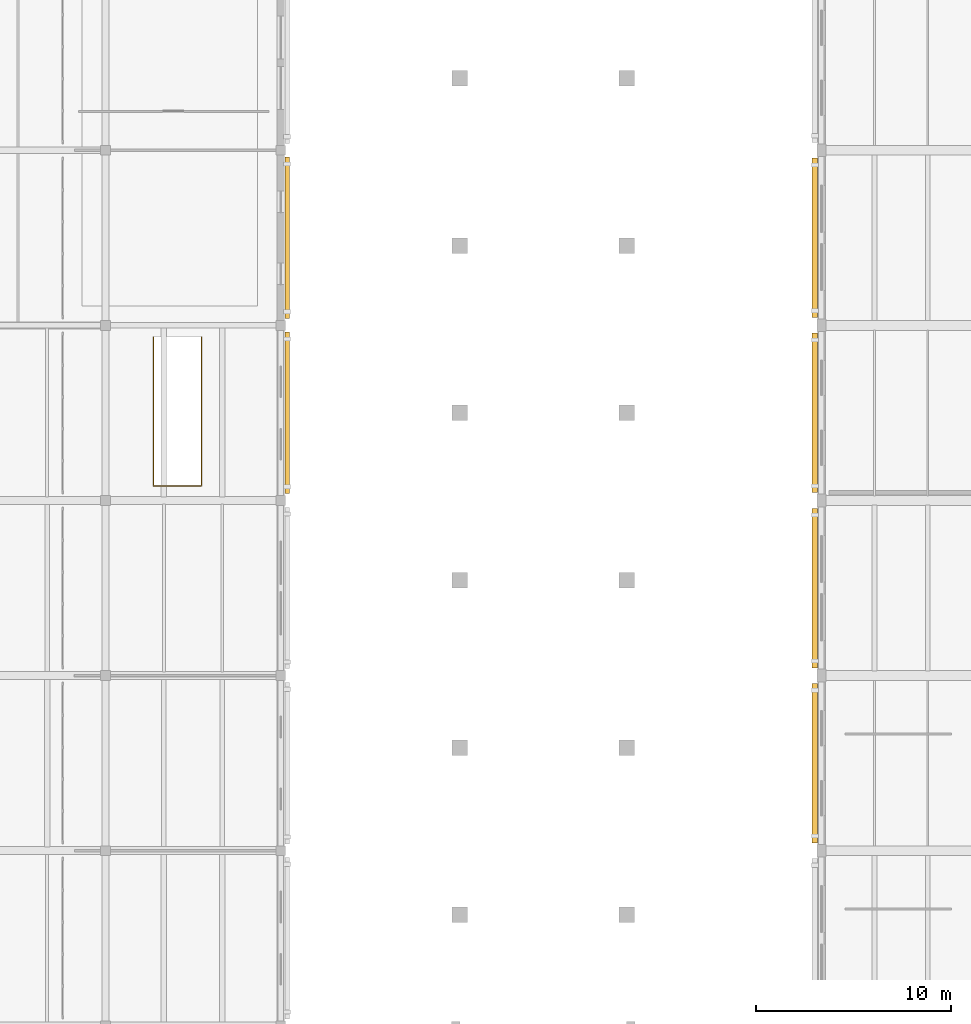
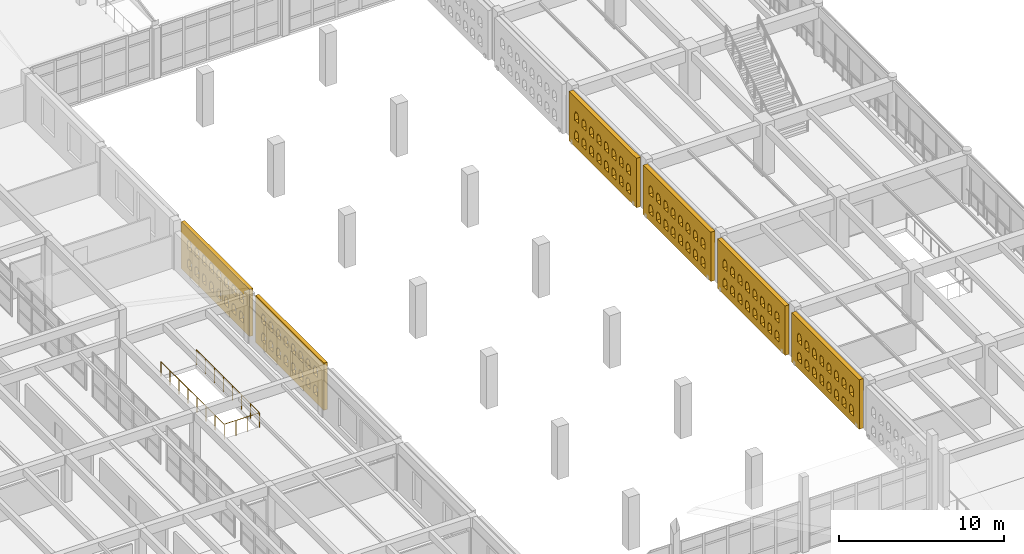
# One storey, part 144 of 156: 6 coverings, 1 railing.
"""IFC4 building model written with IfcOpenShell, lengths in metres."""

from ifc_helpers import new_model, si_unit, direction, frame, origin, origin_2d, place, context, subcontext, project, spatial, polyline, circle, outline, extrude, material, layer, layer_set, type_object, element, save


model = new_model("IFC4")

# Units and contexts
model_context = context("Model", 3, precision=1e-05, world=origin(), true_north=direction((0.0, 1.0)))
body_context = subcontext(model_context, "Body", "Model", "MODEL_VIEW")
ifc_project = project(units=[si_unit("LENGTHUNIT", "METRE"), si_unit("AREAUNIT", "SQUARE_METRE"), si_unit("VOLUMEUNIT", "CUBIC_METRE"), si_unit("PLANEANGLEUNIT", "RADIAN"), si_unit("MASSUNIT", "GRAM", prefix="KILO")], contexts=[model_context])

# Site, building, storey
site_placement = place(None, origin())
site = spatial("IfcSite", under=ifc_project, at=site_placement, CompositionType="ELEMENT")
building_placement = place(site_placement, origin())
building = spatial("IfcBuilding", under=site, at=building_placement, Name="Ornek Quay Market", CompositionType="ELEMENT")
storey_placement = place(building_placement, frame((0.0, 0.0, 4.5)))
storey = spatial("IfcBuildingStorey", under=building, at=storey_placement, Name="L01", CompositionType="ELEMENT", Elevation=4.5)

# Coverings
ifc_material_1 = material(Name="Frost-resistant facing clay brick M200 F100", Category="masonry")
ifc_layer_1 = layer(ifc_material_1, 0.25, Name="Frost-resistant facing clay brick M200 F100", Category="masonry")
ifc_layer_set_1 = layer_set([ifc_layer_1], Name="Frost-resistant facing clay brick M200 F100")
covering_type_1 = type_object("IfcCoveringType", Name="COV-BRICK-LATTICE-250", PredefinedType="CLADDING", material=ifc_layer_set_1)
covering_1_placement = place(storey_placement, frame((27.340087890625, 56.35009765625, 0.0), z_axis=(0.0, 0.0, 1.0), x_axis=(0.0, 1.0, 0.0)))
element("IfcCovering", 1, at=covering_1_placement, inside=storey, type_object=covering_type_1, Name="Arched brick lattice screen BLS-024", PredefinedType="CLADDING", context=body_context, shape_type="SweptSolid", body=[
    extrude(outline(polyline([(0.0, 0.0), (8.2998046875, 0.0), (8.2998046875, 3.47998046875), (0.0, 3.47998046875), (0.0, 0.0)]), holes=[polyline([(0.760009765625, 0.550048828125), (1.239990234375, 0.550048828125), (1.239990234375, 1.050048828125), (1.1201171875, 1.2578125), (0.8798828125, 1.2578125), (0.760009765625, 1.050048828125), (0.760009765625, 0.550048828125)]), polyline([(0.760009765625, 1.949951171875), (1.239990234375, 1.949951171875), (1.239990234375, 2.449951171875), (1.1201171875, 2.65771484375), (0.8798828125, 2.65771484375), (0.760009765625, 2.449951171875), (0.760009765625, 1.949951171875)]), polyline([(1.659912109375, 0.550048828125), (2.139892578125, 0.550048828125), (2.139892578125, 1.050048828125), (2.02001953125, 1.2578125), (1.780029296875, 1.2578125), (1.659912109375, 1.050048828125), (1.659912109375, 0.550048828125)]), polyline([(1.659912109375, 1.949951171875), (2.139892578125, 1.949951171875), (2.139892578125, 2.449951171875), (2.02001953125, 2.65771484375), (1.780029296875, 2.65771484375), (1.659912109375, 2.449951171875), (1.659912109375, 1.949951171875)]), polyline([(2.56005859375, 0.550048828125), (3.0400390625, 0.550048828125), (3.0400390625, 1.050048828125), (2.919921875, 1.2578125), (2.679931640625, 1.2578125), (2.56005859375, 1.050048828125), (2.56005859375, 0.550048828125)]), polyline([(2.56005859375, 1.949951171875), (3.0400390625, 1.949951171875), (3.0400390625, 2.449951171875), (2.919921875, 2.65771484375), (2.679931640625, 2.65771484375), (2.56005859375, 2.449951171875), (2.56005859375, 1.949951171875)]), polyline([(3.4599609375, 0.550048828125), (3.93994140625, 0.550048828125), (3.93994140625, 1.050048828125), (3.820068359375, 1.2578125), (3.580078125, 1.2578125), (3.4599609375, 1.050048828125), (3.4599609375, 0.550048828125)]), polyline([(3.4599609375, 1.949951171875), (3.93994140625, 1.949951171875), (3.93994140625, 2.449951171875), (3.820068359375, 2.65771484375), (3.580078125, 2.65771484375), (3.4599609375, 2.449951171875), (3.4599609375, 1.949951171875)]), polyline([(4.360107421875, 0.550048828125), (4.840087890625, 0.550048828125), (4.840087890625, 1.050048828125), (4.719970703125, 1.2578125), (4.47998046875, 1.2578125), (4.360107421875, 1.050048828125), (4.360107421875, 0.550048828125)]), polyline([(4.360107421875, 1.949951171875), (4.840087890625, 1.949951171875), (4.840087890625, 2.449951171875), (4.719970703125, 2.65771484375), (4.47998046875, 2.65771484375), (4.360107421875, 2.449951171875), (4.360107421875, 1.949951171875)]), polyline([(5.260009765625, 0.550048828125), (5.739990234375, 0.550048828125), (5.739990234375, 1.050048828125), (5.6201171875, 1.2578125), (5.3798828125, 1.2578125), (5.260009765625, 1.050048828125), (5.260009765625, 0.550048828125)]), polyline([(5.260009765625, 1.949951171875), (5.739990234375, 1.949951171875), (5.739990234375, 2.449951171875), (5.6201171875, 2.65771484375), (5.3798828125, 2.65771484375), (5.260009765625, 2.449951171875), (5.260009765625, 1.949951171875)]), polyline([(6.159912109375, 0.550048828125), (6.639892578125, 0.550048828125), (6.639892578125, 1.050048828125), (6.52001953125, 1.2578125), (6.280029296875, 1.2578125), (6.159912109375, 1.050048828125), (6.159912109375, 0.550048828125)]), polyline([(6.159912109375, 1.949951171875), (6.639892578125, 1.949951171875), (6.639892578125, 2.449951171875), (6.52001953125, 2.65771484375), (6.280029296875, 2.65771484375), (6.159912109375, 2.449951171875), (6.159912109375, 1.949951171875)]), polyline([(7.06005859375, 0.550048828125), (7.5400390625, 0.550048828125), (7.5400390625, 1.050048828125), (7.419921875, 1.2578125), (7.179931640625, 1.2578125), (7.06005859375, 1.050048828125), (7.06005859375, 0.550048828125)]), polyline([(7.06005859375, 1.949951171875), (7.5400390625, 1.949951171875), (7.5400390625, 2.449951171875), (7.419921875, 2.65771484375), (7.179931640625, 2.65771484375), (7.06005859375, 2.449951171875), (7.06005859375, 1.949951171875)])]), frame((0.0, 0.125, 0.0), z_axis=(0.0, -1.0, 0.0), x_axis=(1.0, 0.0, 0.0)), (0.0, 0.0, 1.0), 0.25),
])
covering_2_placement = place(storey_placement, frame((27.340087890625, 65.35009765625, 0.0), z_axis=(0.0, 0.0, 1.0), x_axis=(0.0, 1.0, 0.0)))
element("IfcCovering", 2, at=covering_2_placement, inside=storey, type_object=covering_type_1, Name="Arched brick lattice screen BLS-025", PredefinedType="CLADDING", context=body_context, shape_type="SweptSolid", body=[
    extrude(outline(polyline([(0.0, 0.0), (8.2998046875, 0.0), (8.2998046875, 3.47998046875), (0.0, 3.47998046875), (0.0, 0.0)]), holes=[polyline([(0.760009765625, 0.550048828125), (1.239990234375, 0.550048828125), (1.239990234375, 1.050048828125), (1.1201171875, 1.2578125), (0.8798828125, 1.2578125), (0.760009765625, 1.050048828125), (0.760009765625, 0.550048828125)]), polyline([(0.760009765625, 1.949951171875), (1.239990234375, 1.949951171875), (1.239990234375, 2.449951171875), (1.1201171875, 2.65771484375), (0.8798828125, 2.65771484375), (0.760009765625, 2.449951171875), (0.760009765625, 1.949951171875)]), polyline([(1.659912109375, 0.550048828125), (2.139892578125, 0.550048828125), (2.139892578125, 1.050048828125), (2.02001953125, 1.2578125), (1.780029296875, 1.2578125), (1.659912109375, 1.050048828125), (1.659912109375, 0.550048828125)]), polyline([(1.659912109375, 1.949951171875), (2.139892578125, 1.949951171875), (2.139892578125, 2.449951171875), (2.02001953125, 2.65771484375), (1.780029296875, 2.65771484375), (1.659912109375, 2.449951171875), (1.659912109375, 1.949951171875)]), polyline([(2.56005859375, 0.550048828125), (3.0400390625, 0.550048828125), (3.0400390625, 1.050048828125), (2.919921875, 1.2578125), (2.679931640625, 1.2578125), (2.56005859375, 1.050048828125), (2.56005859375, 0.550048828125)]), polyline([(2.56005859375, 1.949951171875), (3.0400390625, 1.949951171875), (3.0400390625, 2.449951171875), (2.919921875, 2.65771484375), (2.679931640625, 2.65771484375), (2.56005859375, 2.449951171875), (2.56005859375, 1.949951171875)]), polyline([(3.4599609375, 0.550048828125), (3.93994140625, 0.550048828125), (3.93994140625, 1.050048828125), (3.820068359375, 1.2578125), (3.580078125, 1.2578125), (3.4599609375, 1.050048828125), (3.4599609375, 0.550048828125)]), polyline([(3.4599609375, 1.949951171875), (3.93994140625, 1.949951171875), (3.93994140625, 2.449951171875), (3.820068359375, 2.65771484375), (3.580078125, 2.65771484375), (3.4599609375, 2.449951171875), (3.4599609375, 1.949951171875)]), polyline([(4.360107421875, 0.550048828125), (4.840087890625, 0.550048828125), (4.840087890625, 1.050048828125), (4.719970703125, 1.2578125), (4.47998046875, 1.2578125), (4.360107421875, 1.050048828125), (4.360107421875, 0.550048828125)]), polyline([(4.360107421875, 1.949951171875), (4.840087890625, 1.949951171875), (4.840087890625, 2.449951171875), (4.719970703125, 2.65771484375), (4.47998046875, 2.65771484375), (4.360107421875, 2.449951171875), (4.360107421875, 1.949951171875)]), polyline([(5.260009765625, 0.550048828125), (5.739990234375, 0.550048828125), (5.739990234375, 1.050048828125), (5.6201171875, 1.2578125), (5.3798828125, 1.2578125), (5.260009765625, 1.050048828125), (5.260009765625, 0.550048828125)]), polyline([(5.260009765625, 1.949951171875), (5.739990234375, 1.949951171875), (5.739990234375, 2.449951171875), (5.6201171875, 2.65771484375), (5.3798828125, 2.65771484375), (5.260009765625, 2.449951171875), (5.260009765625, 1.949951171875)]), polyline([(6.159912109375, 0.550048828125), (6.639892578125, 0.550048828125), (6.639892578125, 1.050048828125), (6.52001953125, 1.2578125), (6.280029296875, 1.2578125), (6.159912109375, 1.050048828125), (6.159912109375, 0.550048828125)]), polyline([(6.159912109375, 1.949951171875), (6.639892578125, 1.949951171875), (6.639892578125, 2.449951171875), (6.52001953125, 2.65771484375), (6.280029296875, 2.65771484375), (6.159912109375, 2.449951171875), (6.159912109375, 1.949951171875)]), polyline([(7.06005859375, 0.550048828125), (7.5400390625, 0.550048828125), (7.5400390625, 1.050048828125), (7.419921875, 1.2578125), (7.179931640625, 1.2578125), (7.06005859375, 1.050048828125), (7.06005859375, 0.550048828125)]), polyline([(7.06005859375, 1.949951171875), (7.5400390625, 1.949951171875), (7.5400390625, 2.449951171875), (7.419921875, 2.65771484375), (7.179931640625, 2.65771484375), (7.06005859375, 2.449951171875), (7.06005859375, 1.949951171875)])]), frame((0.0, 0.125, 0.0), z_axis=(0.0, -1.0, 0.0), x_axis=(1.0, 0.0, 0.0)), (0.0, 0.0, 1.0), 0.25),
])
ifc_layer_2 = layer(ifc_material_1, 0.2900390625, Name="Frost-resistant facing clay brick M200 F100", Category="masonry")
ifc_layer_set_2 = layer_set([ifc_layer_2], Name="Frost-resistant facing clay brick M200 F100")
covering_type_2 = type_object("IfcCoveringType", Name="COV-BRICK-LATTICE-290", PredefinedType="CLADDING", material=ifc_layer_set_2)
covering_3_placement = place(storey_placement, frame((54.4599609375, 38.39990234375, 0.0), z_axis=(0.0, 0.0, 1.0), x_axis=(0.0, 1.0, 0.0)))
element("IfcCovering", 3, at=covering_3_placement, inside=storey, type_object=covering_type_2, Name="Arched brick lattice screen BLS-043", PredefinedType="CLADDING", context=body_context, shape_type="SweptSolid", body=[
    extrude(outline(polyline([(0.0, 0.0), (8.2001953125, 0.0), (8.2001953125, 3.659912109375), (0.0, 3.659912109375), (0.0, 0.0)]), holes=[polyline([(0.7099609375, 0.550048828125), (1.18994140625, 0.550048828125), (1.18994140625, 1.050048828125), (1.070068359375, 1.2578125), (0.830078125, 1.2578125), (0.7099609375, 1.050048828125), (0.7099609375, 0.550048828125)]), polyline([(0.7099609375, 1.949951171875), (1.18994140625, 1.949951171875), (1.18994140625, 2.449951171875), (1.070068359375, 2.65771484375), (0.830078125, 2.65771484375), (0.7099609375, 2.449951171875), (0.7099609375, 1.949951171875)]), polyline([(1.610107421875, 0.550048828125), (2.090087890625, 0.550048828125), (2.090087890625, 1.050048828125), (1.969970703125, 1.2578125), (1.72998046875, 1.2578125), (1.610107421875, 1.050048828125), (1.610107421875, 0.550048828125)]), polyline([(1.610107421875, 1.949951171875), (2.090087890625, 1.949951171875), (2.090087890625, 2.449951171875), (1.969970703125, 2.65771484375), (1.72998046875, 2.65771484375), (1.610107421875, 2.449951171875), (1.610107421875, 1.949951171875)]), polyline([(2.510009765625, 0.550048828125), (2.989990234375, 0.550048828125), (2.989990234375, 1.050048828125), (2.8701171875, 1.2578125), (2.6298828125, 1.2578125), (2.510009765625, 1.050048828125), (2.510009765625, 0.550048828125)]), polyline([(2.510009765625, 1.949951171875), (2.989990234375, 1.949951171875), (2.989990234375, 2.449951171875), (2.8701171875, 2.65771484375), (2.6298828125, 2.65771484375), (2.510009765625, 2.449951171875), (2.510009765625, 1.949951171875)]), polyline([(3.409912109375, 0.550048828125), (3.889892578125, 0.550048828125), (3.889892578125, 1.050048828125), (3.77001953125, 1.2578125), (3.530029296875, 1.2578125), (3.409912109375, 1.050048828125), (3.409912109375, 0.550048828125)]), polyline([(3.409912109375, 1.949951171875), (3.889892578125, 1.949951171875), (3.889892578125, 2.449951171875), (3.77001953125, 2.65771484375), (3.530029296875, 2.65771484375), (3.409912109375, 2.449951171875), (3.409912109375, 1.949951171875)]), polyline([(4.31005859375, 0.550048828125), (4.7900390625, 0.550048828125), (4.7900390625, 1.050048828125), (4.669921875, 1.2578125), (4.429931640625, 1.2578125), (4.31005859375, 1.050048828125), (4.31005859375, 0.550048828125)]), polyline([(4.31005859375, 1.949951171875), (4.7900390625, 1.949951171875), (4.7900390625, 2.449951171875), (4.669921875, 2.65771484375), (4.429931640625, 2.65771484375), (4.31005859375, 2.449951171875), (4.31005859375, 1.949951171875)]), polyline([(5.2099609375, 0.550048828125), (5.68994140625, 0.550048828125), (5.68994140625, 1.050048828125), (5.570068359375, 1.2578125), (5.330078125, 1.2578125), (5.2099609375, 1.050048828125), (5.2099609375, 0.550048828125)]), polyline([(5.2099609375, 1.949951171875), (5.68994140625, 1.949951171875), (5.68994140625, 2.449951171875), (5.570068359375, 2.65771484375), (5.330078125, 2.65771484375), (5.2099609375, 2.449951171875), (5.2099609375, 1.949951171875)]), polyline([(6.110107421875, 0.550048828125), (6.590087890625, 0.550048828125), (6.590087890625, 1.050048828125), (6.469970703125, 1.2578125), (6.22998046875, 1.2578125), (6.110107421875, 1.050048828125), (6.110107421875, 0.550048828125)]), polyline([(6.110107421875, 1.949951171875), (6.590087890625, 1.949951171875), (6.590087890625, 2.449951171875), (6.469970703125, 2.65771484375), (6.22998046875, 2.65771484375), (6.110107421875, 2.449951171875), (6.110107421875, 1.949951171875)]), polyline([(7.010009765625, 0.550048828125), (7.489990234375, 0.550048828125), (7.489990234375, 1.050048828125), (7.3701171875, 1.2578125), (7.1298828125, 1.2578125), (7.010009765625, 1.050048828125), (7.010009765625, 0.550048828125)]), polyline([(7.010009765625, 1.949951171875), (7.489990234375, 1.949951171875), (7.489990234375, 2.449951171875), (7.3701171875, 2.65771484375), (7.1298828125, 2.65771484375), (7.010009765625, 2.449951171875), (7.010009765625, 1.949951171875)])]), frame((0.0, 0.14501953125, 0.0), z_axis=(0.0, -1.0, 0.0), x_axis=(1.0, 0.0, 0.0)), (0.0, 0.0, 1.0), 0.2900390625),
])
covering_4_placement = place(storey_placement, frame((54.4599609375, 47.39990234375, 0.0), z_axis=(0.0, 0.0, 1.0), x_axis=(0.0, 1.0, 0.0)))
element("IfcCovering", 4, at=covering_4_placement, inside=storey, type_object=covering_type_2, Name="Arched brick lattice screen BLS-044", PredefinedType="CLADDING", context=body_context, shape_type="SweptSolid", body=[
    extrude(outline(polyline([(0.0, 0.0), (8.2001953125, 0.0), (8.2001953125, 3.659912109375), (0.0, 3.659912109375), (0.0, 0.0)]), holes=[polyline([(0.7099609375, 0.550048828125), (1.18994140625, 0.550048828125), (1.18994140625, 1.050048828125), (1.070068359375, 1.2578125), (0.830078125, 1.2578125), (0.7099609375, 1.050048828125), (0.7099609375, 0.550048828125)]), polyline([(0.7099609375, 1.949951171875), (1.18994140625, 1.949951171875), (1.18994140625, 2.449951171875), (1.070068359375, 2.65771484375), (0.830078125, 2.65771484375), (0.7099609375, 2.449951171875), (0.7099609375, 1.949951171875)]), polyline([(1.610107421875, 0.550048828125), (2.090087890625, 0.550048828125), (2.090087890625, 1.050048828125), (1.969970703125, 1.2578125), (1.72998046875, 1.2578125), (1.610107421875, 1.050048828125), (1.610107421875, 0.550048828125)]), polyline([(1.610107421875, 1.949951171875), (2.090087890625, 1.949951171875), (2.090087890625, 2.449951171875), (1.969970703125, 2.65771484375), (1.72998046875, 2.65771484375), (1.610107421875, 2.449951171875), (1.610107421875, 1.949951171875)]), polyline([(2.510009765625, 0.550048828125), (2.989990234375, 0.550048828125), (2.989990234375, 1.050048828125), (2.8701171875, 1.2578125), (2.6298828125, 1.2578125), (2.510009765625, 1.050048828125), (2.510009765625, 0.550048828125)]), polyline([(2.510009765625, 1.949951171875), (2.989990234375, 1.949951171875), (2.989990234375, 2.449951171875), (2.8701171875, 2.65771484375), (2.6298828125, 2.65771484375), (2.510009765625, 2.449951171875), (2.510009765625, 1.949951171875)]), polyline([(3.409912109375, 0.550048828125), (3.889892578125, 0.550048828125), (3.889892578125, 1.050048828125), (3.77001953125, 1.2578125), (3.530029296875, 1.2578125), (3.409912109375, 1.050048828125), (3.409912109375, 0.550048828125)]), polyline([(3.409912109375, 1.949951171875), (3.889892578125, 1.949951171875), (3.889892578125, 2.449951171875), (3.77001953125, 2.65771484375), (3.530029296875, 2.65771484375), (3.409912109375, 2.449951171875), (3.409912109375, 1.949951171875)]), polyline([(4.31005859375, 0.550048828125), (4.7900390625, 0.550048828125), (4.7900390625, 1.050048828125), (4.669921875, 1.2578125), (4.429931640625, 1.2578125), (4.31005859375, 1.050048828125), (4.31005859375, 0.550048828125)]), polyline([(4.31005859375, 1.949951171875), (4.7900390625, 1.949951171875), (4.7900390625, 2.449951171875), (4.669921875, 2.65771484375), (4.429931640625, 2.65771484375), (4.31005859375, 2.449951171875), (4.31005859375, 1.949951171875)]), polyline([(5.2099609375, 0.550048828125), (5.68994140625, 0.550048828125), (5.68994140625, 1.050048828125), (5.570068359375, 1.2578125), (5.330078125, 1.2578125), (5.2099609375, 1.050048828125), (5.2099609375, 0.550048828125)]), polyline([(5.2099609375, 1.949951171875), (5.68994140625, 1.949951171875), (5.68994140625, 2.449951171875), (5.570068359375, 2.65771484375), (5.330078125, 2.65771484375), (5.2099609375, 2.449951171875), (5.2099609375, 1.949951171875)]), polyline([(6.110107421875, 0.550048828125), (6.590087890625, 0.550048828125), (6.590087890625, 1.050048828125), (6.469970703125, 1.2578125), (6.22998046875, 1.2578125), (6.110107421875, 1.050048828125), (6.110107421875, 0.550048828125)]), polyline([(6.110107421875, 1.949951171875), (6.590087890625, 1.949951171875), (6.590087890625, 2.449951171875), (6.469970703125, 2.65771484375), (6.22998046875, 2.65771484375), (6.110107421875, 2.449951171875), (6.110107421875, 1.949951171875)]), polyline([(7.010009765625, 0.550048828125), (7.489990234375, 0.550048828125), (7.489990234375, 1.050048828125), (7.3701171875, 1.2578125), (7.1298828125, 1.2578125), (7.010009765625, 1.050048828125), (7.010009765625, 0.550048828125)]), polyline([(7.010009765625, 1.949951171875), (7.489990234375, 1.949951171875), (7.489990234375, 2.449951171875), (7.3701171875, 2.65771484375), (7.1298828125, 2.65771484375), (7.010009765625, 2.449951171875), (7.010009765625, 1.949951171875)])]), frame((0.0, 0.14501953125, 0.0), z_axis=(0.0, -1.0, 0.0), x_axis=(1.0, 0.0, 0.0)), (0.0, 0.0, 1.0), 0.2900390625),
])
covering_5_placement = place(storey_placement, frame((54.4599609375, 56.39990234375, 0.0), z_axis=(0.0, 0.0, 1.0), x_axis=(0.0, 1.0, 0.0)))
element("IfcCovering", 5, at=covering_5_placement, inside=storey, type_object=covering_type_2, Name="Arched brick lattice screen BLS-045", PredefinedType="CLADDING", context=body_context, shape_type="SweptSolid", body=[
    extrude(outline(polyline([(0.0, 0.0), (8.2001953125, 0.0), (8.2001953125, 3.659912109375), (0.0, 3.659912109375), (0.0, 0.0)]), holes=[polyline([(0.7099609375, 0.550048828125), (1.18994140625, 0.550048828125), (1.18994140625, 1.050048828125), (1.070068359375, 1.2578125), (0.830078125, 1.2578125), (0.7099609375, 1.050048828125), (0.7099609375, 0.550048828125)]), polyline([(0.7099609375, 1.949951171875), (1.18994140625, 1.949951171875), (1.18994140625, 2.449951171875), (1.070068359375, 2.65771484375), (0.830078125, 2.65771484375), (0.7099609375, 2.449951171875), (0.7099609375, 1.949951171875)]), polyline([(1.610107421875, 0.550048828125), (2.090087890625, 0.550048828125), (2.090087890625, 1.050048828125), (1.969970703125, 1.2578125), (1.72998046875, 1.2578125), (1.610107421875, 1.050048828125), (1.610107421875, 0.550048828125)]), polyline([(1.610107421875, 1.949951171875), (2.090087890625, 1.949951171875), (2.090087890625, 2.449951171875), (1.969970703125, 2.65771484375), (1.72998046875, 2.65771484375), (1.610107421875, 2.449951171875), (1.610107421875, 1.949951171875)]), polyline([(2.510009765625, 0.550048828125), (2.989990234375, 0.550048828125), (2.989990234375, 1.050048828125), (2.8701171875, 1.2578125), (2.6298828125, 1.2578125), (2.510009765625, 1.050048828125), (2.510009765625, 0.550048828125)]), polyline([(2.510009765625, 1.949951171875), (2.989990234375, 1.949951171875), (2.989990234375, 2.449951171875), (2.8701171875, 2.65771484375), (2.6298828125, 2.65771484375), (2.510009765625, 2.449951171875), (2.510009765625, 1.949951171875)]), polyline([(3.409912109375, 0.550048828125), (3.889892578125, 0.550048828125), (3.889892578125, 1.050048828125), (3.77001953125, 1.2578125), (3.530029296875, 1.2578125), (3.409912109375, 1.050048828125), (3.409912109375, 0.550048828125)]), polyline([(3.409912109375, 1.949951171875), (3.889892578125, 1.949951171875), (3.889892578125, 2.449951171875), (3.77001953125, 2.65771484375), (3.530029296875, 2.65771484375), (3.409912109375, 2.449951171875), (3.409912109375, 1.949951171875)]), polyline([(4.31005859375, 0.550048828125), (4.7900390625, 0.550048828125), (4.7900390625, 1.050048828125), (4.669921875, 1.2578125), (4.429931640625, 1.2578125), (4.31005859375, 1.050048828125), (4.31005859375, 0.550048828125)]), polyline([(4.31005859375, 1.949951171875), (4.7900390625, 1.949951171875), (4.7900390625, 2.449951171875), (4.669921875, 2.65771484375), (4.429931640625, 2.65771484375), (4.31005859375, 2.449951171875), (4.31005859375, 1.949951171875)]), polyline([(5.2099609375, 0.550048828125), (5.68994140625, 0.550048828125), (5.68994140625, 1.050048828125), (5.570068359375, 1.2578125), (5.330078125, 1.2578125), (5.2099609375, 1.050048828125), (5.2099609375, 0.550048828125)]), polyline([(5.2099609375, 1.949951171875), (5.68994140625, 1.949951171875), (5.68994140625, 2.449951171875), (5.570068359375, 2.65771484375), (5.330078125, 2.65771484375), (5.2099609375, 2.449951171875), (5.2099609375, 1.949951171875)]), polyline([(6.110107421875, 0.550048828125), (6.590087890625, 0.550048828125), (6.590087890625, 1.050048828125), (6.469970703125, 1.2578125), (6.22998046875, 1.2578125), (6.110107421875, 1.050048828125), (6.110107421875, 0.550048828125)]), polyline([(6.110107421875, 1.949951171875), (6.590087890625, 1.949951171875), (6.590087890625, 2.449951171875), (6.469970703125, 2.65771484375), (6.22998046875, 2.65771484375), (6.110107421875, 2.449951171875), (6.110107421875, 1.949951171875)]), polyline([(7.010009765625, 0.550048828125), (7.489990234375, 0.550048828125), (7.489990234375, 1.050048828125), (7.3701171875, 1.2578125), (7.1298828125, 1.2578125), (7.010009765625, 1.050048828125), (7.010009765625, 0.550048828125)]), polyline([(7.010009765625, 1.949951171875), (7.489990234375, 1.949951171875), (7.489990234375, 2.449951171875), (7.3701171875, 2.65771484375), (7.1298828125, 2.65771484375), (7.010009765625, 2.449951171875), (7.010009765625, 1.949951171875)])]), frame((0.0, 0.14501953125, 0.0), z_axis=(0.0, -1.0, 0.0), x_axis=(1.0, 0.0, 0.0)), (0.0, 0.0, 1.0), 0.2900390625),
])
covering_6_placement = place(storey_placement, frame((54.4599609375, 65.39990234375, 0.0), z_axis=(0.0, 0.0, 1.0), x_axis=(0.0, 1.0, 0.0)))
element("IfcCovering", 6, at=covering_6_placement, inside=storey, type_object=covering_type_2, Name="Arched brick lattice screen BLS-046", PredefinedType="CLADDING", context=body_context, shape_type="SweptSolid", body=[
    extrude(outline(polyline([(0.0, 0.0), (8.2001953125, 0.0), (8.2001953125, 3.659912109375), (0.0, 3.659912109375), (0.0, 0.0)]), holes=[polyline([(0.7099609375, 0.550048828125), (1.18994140625, 0.550048828125), (1.18994140625, 1.050048828125), (1.070068359375, 1.2578125), (0.830078125, 1.2578125), (0.7099609375, 1.050048828125), (0.7099609375, 0.550048828125)]), polyline([(0.7099609375, 1.949951171875), (1.18994140625, 1.949951171875), (1.18994140625, 2.449951171875), (1.070068359375, 2.65771484375), (0.830078125, 2.65771484375), (0.7099609375, 2.449951171875), (0.7099609375, 1.949951171875)]), polyline([(1.610107421875, 0.550048828125), (2.090087890625, 0.550048828125), (2.090087890625, 1.050048828125), (1.969970703125, 1.2578125), (1.72998046875, 1.2578125), (1.610107421875, 1.050048828125), (1.610107421875, 0.550048828125)]), polyline([(1.610107421875, 1.949951171875), (2.090087890625, 1.949951171875), (2.090087890625, 2.449951171875), (1.969970703125, 2.65771484375), (1.72998046875, 2.65771484375), (1.610107421875, 2.449951171875), (1.610107421875, 1.949951171875)]), polyline([(2.510009765625, 0.550048828125), (2.989990234375, 0.550048828125), (2.989990234375, 1.050048828125), (2.8701171875, 1.2578125), (2.6298828125, 1.2578125), (2.510009765625, 1.050048828125), (2.510009765625, 0.550048828125)]), polyline([(2.510009765625, 1.949951171875), (2.989990234375, 1.949951171875), (2.989990234375, 2.449951171875), (2.8701171875, 2.65771484375), (2.6298828125, 2.65771484375), (2.510009765625, 2.449951171875), (2.510009765625, 1.949951171875)]), polyline([(3.409912109375, 0.550048828125), (3.889892578125, 0.550048828125), (3.889892578125, 1.050048828125), (3.77001953125, 1.2578125), (3.530029296875, 1.2578125), (3.409912109375, 1.050048828125), (3.409912109375, 0.550048828125)]), polyline([(3.409912109375, 1.949951171875), (3.889892578125, 1.949951171875), (3.889892578125, 2.449951171875), (3.77001953125, 2.65771484375), (3.530029296875, 2.65771484375), (3.409912109375, 2.449951171875), (3.409912109375, 1.949951171875)]), polyline([(4.31005859375, 0.550048828125), (4.7900390625, 0.550048828125), (4.7900390625, 1.050048828125), (4.669921875, 1.2578125), (4.429931640625, 1.2578125), (4.31005859375, 1.050048828125), (4.31005859375, 0.550048828125)]), polyline([(4.31005859375, 1.949951171875), (4.7900390625, 1.949951171875), (4.7900390625, 2.449951171875), (4.669921875, 2.65771484375), (4.429931640625, 2.65771484375), (4.31005859375, 2.449951171875), (4.31005859375, 1.949951171875)]), polyline([(5.2099609375, 0.550048828125), (5.68994140625, 0.550048828125), (5.68994140625, 1.050048828125), (5.570068359375, 1.2578125), (5.330078125, 1.2578125), (5.2099609375, 1.050048828125), (5.2099609375, 0.550048828125)]), polyline([(5.2099609375, 1.949951171875), (5.68994140625, 1.949951171875), (5.68994140625, 2.449951171875), (5.570068359375, 2.65771484375), (5.330078125, 2.65771484375), (5.2099609375, 2.449951171875), (5.2099609375, 1.949951171875)]), polyline([(6.110107421875, 0.550048828125), (6.590087890625, 0.550048828125), (6.590087890625, 1.050048828125), (6.469970703125, 1.2578125), (6.22998046875, 1.2578125), (6.110107421875, 1.050048828125), (6.110107421875, 0.550048828125)]), polyline([(6.110107421875, 1.949951171875), (6.590087890625, 1.949951171875), (6.590087890625, 2.449951171875), (6.469970703125, 2.65771484375), (6.22998046875, 2.65771484375), (6.110107421875, 2.449951171875), (6.110107421875, 1.949951171875)]), polyline([(7.010009765625, 0.550048828125), (7.489990234375, 0.550048828125), (7.489990234375, 1.050048828125), (7.3701171875, 1.2578125), (7.1298828125, 1.2578125), (7.010009765625, 1.050048828125), (7.010009765625, 0.550048828125)]), polyline([(7.010009765625, 1.949951171875), (7.489990234375, 1.949951171875), (7.489990234375, 2.449951171875), (7.3701171875, 2.65771484375), (7.1298828125, 2.65771484375), (7.010009765625, 2.449951171875), (7.010009765625, 1.949951171875)])]), frame((0.0, 0.14501953125, 0.0), z_axis=(0.0, -1.0, 0.0), x_axis=(1.0, 0.0, 0.0)), (0.0, 0.0, 1.0), 0.2900390625),
])

# Railing
ifc_material_2 = material(Name="Painted steel S355 and vertical infill bars", Category="steel")
railing_type = type_object("IfcRailingType", Name="RL-GUARD-GAL-1100", PredefinedType="GUARDRAIL", material=ifc_material_2)
railing_placement = place(storey_placement, frame((20.4599609375, 64.39990234375, 0.0)))
element("IfcRailing", 7, at=railing_placement, inside=storey, type_object=railing_type, Name="Railing GR-01-094", PredefinedType="GUARDRAIL", context=body_context, shape_type="SweptSolid", body=[
    extrude(circle(Radius=0.02392578125, at=origin_2d()), frame((0.0, 0.0, 1.09619140625), z_axis=(0.0, -1.0, 0.0), x_axis=(1.0, 0.0, 0.0)), (0.0, 0.0, 1.0), 7.6298828125),
    extrude(circle(Radius=0.02392578125, at=origin_2d()), frame((0.030029296875, -7.659912109375, 1.09619140625), z_axis=(1.0, 0.0, 0.0), x_axis=(0.0, 1.0, 0.0)), (0.0, 0.0, 1.0), 2.419921875),
    extrude(circle(Radius=0.02392578125, at=origin_2d()), frame((2.47998046875, -7.6298828125, 1.09619140625), z_axis=(0.0, 1.0, 0.0), x_axis=(-1.0, 0.0, 0.0)), (0.0, 0.0, 1.0), 7.6298828125),
    extrude(circle(Radius=0.02099609375, at=origin_2d()), origin(), (0.0, 0.0, 1.0), 1.068115234375),
    extrude(circle(Radius=0.02099609375, at=origin_2d()), frame((0.0, -1.09423828125, 0.0)), (0.0, 0.0, 1.0), 1.068115234375),
    extrude(circle(Radius=0.02099609375, at=origin_2d()), frame((0.0, -2.1884765625, 0.0)), (0.0, 0.0, 1.0), 1.068115234375),
    extrude(circle(Radius=0.02099609375, at=origin_2d()), frame((0.0, -3.28271484375, 0.0)), (0.0, 0.0, 1.0), 1.068115234375),
    extrude(circle(Radius=0.02099609375, at=origin_2d()), frame((0.0, -4.377197265625, 0.0)), (0.0, 0.0, 1.0), 1.068115234375),
    extrude(circle(Radius=0.02099609375, at=origin_2d()), frame((0.0, -5.471435546875, 0.0)), (0.0, 0.0, 1.0), 1.068115234375),
    extrude(circle(Radius=0.02099609375, at=origin_2d()), frame((0.0, -6.565673828125, 0.0)), (0.0, 0.0, 1.0), 1.068115234375),
    extrude(circle(Radius=0.02099609375, at=origin_2d()), frame((0.0, -7.659912109375, 0.0)), (0.0, 0.0, 1.0), 1.068115234375),
    extrude(circle(Radius=0.02099609375, at=origin_2d()), frame((0.82666015625, -7.659912109375, 0.0)), (0.0, 0.0, 1.0), 1.068115234375),
    extrude(circle(Radius=0.02099609375, at=origin_2d()), frame((1.6533203125, -7.659912109375, 0.0)), (0.0, 0.0, 1.0), 1.068115234375),
    extrude(circle(Radius=0.02099609375, at=origin_2d()), frame((2.47998046875, -7.659912109375, 0.0)), (0.0, 0.0, 1.0), 1.068115234375),
    extrude(circle(Radius=0.02099609375, at=origin_2d()), frame((2.47998046875, -6.565673828125, 0.0)), (0.0, 0.0, 1.0), 1.068115234375),
    extrude(circle(Radius=0.02099609375, at=origin_2d()), frame((2.47998046875, -5.471435546875, 0.0)), (0.0, 0.0, 1.0), 1.068115234375),
    extrude(circle(Radius=0.02099609375, at=origin_2d()), frame((2.47998046875, -4.377197265625, 0.0)), (0.0, 0.0, 1.0), 1.068115234375),
    extrude(circle(Radius=0.02099609375, at=origin_2d()), frame((2.47998046875, -3.28271484375, 0.0)), (0.0, 0.0, 1.0), 1.068115234375),
    extrude(circle(Radius=0.02099609375, at=origin_2d()), frame((2.47998046875, -2.1884765625, 0.0)), (0.0, 0.0, 1.0), 1.068115234375),
    extrude(circle(Radius=0.02099609375, at=origin_2d()), frame((2.47998046875, -1.09423828125, 0.0)), (0.0, 0.0, 1.0), 1.068115234375),
    extrude(circle(Radius=0.02099609375, at=origin_2d()), frame((2.47998046875, 0.0, 0.0)), (0.0, 0.0, 1.0), 1.068115234375),
])

save(model, "model.ifc")
